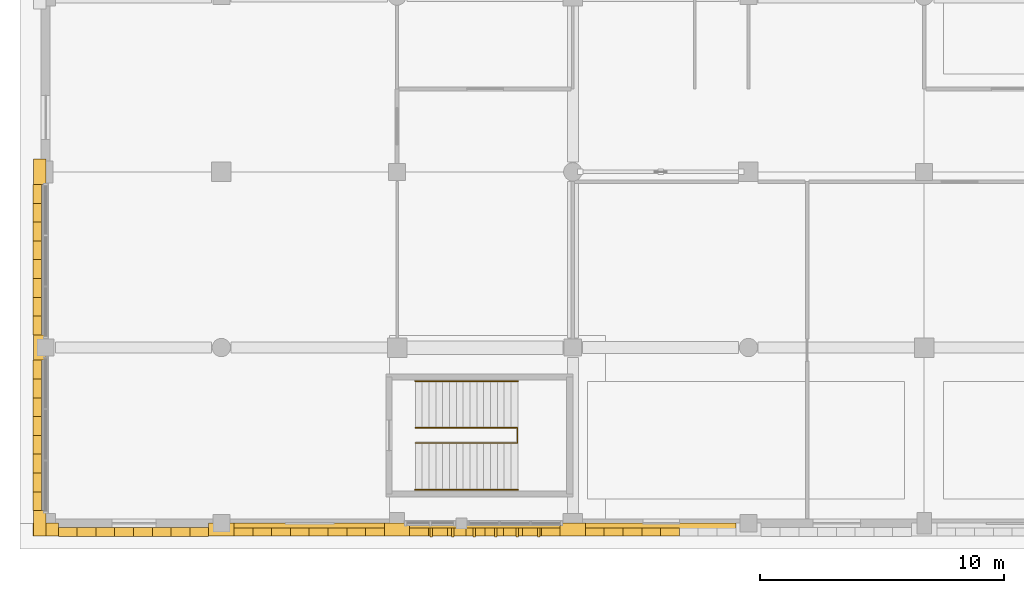
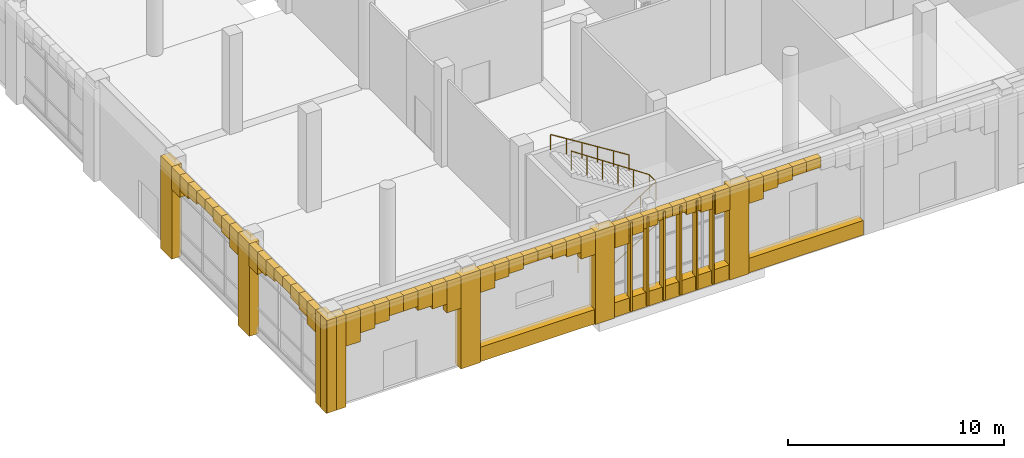
# One storey, part 68 of 85: 61 coverings, 3 railings.
"""IFC4 building model written with IfcOpenShell, lengths in metres."""

from ifc_helpers import new_model, si_unit, direction, frame, frame_2d, origin, origin_2d, place, context, subcontext, project, spatial, polyline, rectangle, circle, outline, extrude, material, layer, layer_set, type_object, element, save


model = new_model("IFC4")

# Units and contexts
model_context = context("Model", 3, precision=1e-05, world=origin(), true_north=direction((0.0, 1.0)))
body_context = subcontext(model_context, "Body", "Model", "MODEL_VIEW")
ifc_project = project(units=[si_unit("LENGTHUNIT", "METRE"), si_unit("AREAUNIT", "SQUARE_METRE"), si_unit("VOLUMEUNIT", "CUBIC_METRE"), si_unit("PLANEANGLEUNIT", "RADIAN"), si_unit("MASSUNIT", "GRAM", prefix="KILO")], contexts=[model_context])

# Site, building, storey
site_placement = place(None, origin())
site = spatial("IfcSite", under=ifc_project, at=site_placement, CompositionType="ELEMENT")
building_placement = place(site_placement, origin())
building = spatial("IfcBuilding", under=site, at=building_placement, Name="Sardonyx Promenade Sports Hall", CompositionType="ELEMENT")
storey_placement = place(building_placement, origin())
storey = spatial("IfcBuildingStorey", under=building, at=storey_placement, Name="L00", CompositionType="ELEMENT", Elevation=0.0)

# Coverings
ifc_material_1 = material(Name="Dressed Cape red sandstone ashlar", Category="masonry")
ifc_layer_1 = layer(ifc_material_1, 0.06005859375)
ifc_layer_set_1 = layer_set([ifc_layer_1], Name="Cov_Cladding_Sandstone")
covering_type_1 = type_object("IfcCoveringType", Name="Cov_Cladding_Sandstone", PredefinedType="CLADDING", material=ifc_layer_set_1)
covering_1_placement = place(storey_placement, origin())
element("IfcCovering", 1, at=covering_1_placement, inside=storey, type_object=covering_type_1, Name="South sandstone bay pier casing L00 #0", PredefinedType="CLADDING", context=body_context, shape_type="SweptSolid", body=[
    extrude(outline(polyline([(-0.52001953125, -0.52001953125), (0.52001953125, -0.52001953125), (0.52001953125, 0.02001953125), (-0.52001953125, 0.02001953125), (-0.52001953125, -0.52001953125)])), origin(), (0.0, 0.0, 1.0), 5.25),
])
covering_2_placement = place(storey_placement, origin())
element("IfcCovering", 2, at=covering_2_placement, inside=storey, type_object=covering_type_1, Name="South sandstone bay pier casing L00 #1", PredefinedType="CLADDING", context=body_context, shape_type="SweptSolid", body=[
    extrude(outline(polyline([(6.679931640625, -0.52001953125), (7.719970703125, -0.52001953125), (7.719970703125, 0.02001953125), (6.679931640625, 0.02001953125), (6.679931640625, -0.52001953125)])), origin(), (0.0, 0.0, 1.0), 5.25),
])
covering_3_placement = place(storey_placement, origin())
element("IfcCovering", 3, at=covering_3_placement, inside=storey, type_object=covering_type_1, Name="South sandstone bay pier casing L00 #2", PredefinedType="CLADDING", context=body_context, shape_type="SweptSolid", body=[
    extrude(outline(polyline([(13.8798828125, -0.52001953125), (14.919921875, -0.52001953125), (14.919921875, 0.02001953125), (13.8798828125, 0.02001953125), (13.8798828125, -0.52001953125)])), origin(), (0.0, 0.0, 1.0), 5.25),
])
covering_4_placement = place(storey_placement, origin())
element("IfcCovering", 4, at=covering_4_placement, inside=storey, type_object=covering_type_1, Name="South sandstone bay pier casing L00 #3", PredefinedType="CLADDING", context=body_context, shape_type="SweptSolid", body=[
    extrude(outline(polyline([(21.080078125, -0.52001953125), (22.1201171875, -0.52001953125), (22.1201171875, 0.02001953125), (21.080078125, 0.02001953125), (21.080078125, -0.52001953125)])), origin(), (0.0, 0.0, 1.0), 5.25),
])
covering_5_placement = place(storey_placement, origin())
element("IfcCovering", 5, at=covering_5_placement, inside=storey, type_object=covering_type_1, Name="South sandstone sill spandrel L00 #19", PredefinedType="CLADDING", context=body_context, shape_type="SweptSolid", body=[
    extrude(outline(polyline([(22.1201171875, -0.4599609375), (28.280029296875, -0.4599609375), (28.280029296875, 0.02001953125), (22.1201171875, 0.02001953125), (22.1201171875, -0.4599609375)])), origin(), (0.0, 0.0, 1.0), 0.820068359375),
])
covering_6_placement = place(storey_placement, origin())
element("IfcCovering", 6, at=covering_6_placement, inside=storey, type_object=covering_type_1, Name="South sandstone sill spandrel L00 #20", PredefinedType="CLADDING", context=body_context, shape_type="SweptSolid", body=[
    extrude(outline(polyline([(14.919921875, -0.4599609375), (21.080078125, -0.4599609375), (21.080078125, 0.02001953125), (14.919921875, 0.02001953125), (14.919921875, -0.4599609375)])), origin(), (0.0, 0.0, 1.0), 0.820068359375),
])
covering_7_placement = place(storey_placement, origin())
element("IfcCovering", 7, at=covering_7_placement, inside=storey, type_object=covering_type_1, Name="South sandstone sill spandrel L00 #21", PredefinedType="CLADDING", context=body_context, shape_type="SweptSolid", body=[
    extrude(outline(polyline([(7.719970703125, -0.4599609375), (13.8798828125, -0.4599609375), (13.8798828125, 0.02001953125), (7.719970703125, 0.02001953125), (7.719970703125, -0.4599609375)])), origin(), (0.0, 0.0, 1.0), 0.820068359375),
])
covering_8_placement = place(storey_placement, origin())
element("IfcCovering", 8, at=covering_8_placement, inside=storey, type_object=covering_type_1, Name="West sandstone pier casing L00 #0", PredefinedType="CLADDING", context=body_context, shape_type="SweptSolid", body=[
    extrude(outline(polyline([(-0.5, -0.52001953125), (0.02001953125, -0.52001953125), (0.02001953125, 0.52001953125), (-0.5, 0.52001953125), (-0.5, -0.52001953125)])), origin(), (0.0, 0.0, 1.0), 5.25),
])
covering_9_placement = place(storey_placement, origin())
element("IfcCovering", 9, at=covering_9_placement, inside=storey, type_object=covering_type_1, Name="West sandstone pier casing L00 #1", PredefinedType="CLADDING", context=body_context, shape_type="SweptSolid", body=[
    extrude(outline(polyline([(-0.5, 6.679931640625), (0.02001953125, 6.679931640625), (0.02001953125, 7.719970703125), (-0.5, 7.719970703125), (-0.5, 6.679931640625)])), origin(), (0.0, 0.0, 1.0), 5.25),
])
covering_10_placement = place(storey_placement, origin())
element("IfcCovering", 10, at=covering_10_placement, inside=storey, type_object=covering_type_1, Name="West sandstone pier casing L00 #2", PredefinedType="CLADDING", context=body_context, shape_type="SweptSolid", body=[
    extrude(outline(polyline([(-0.5, 13.8798828125), (0.02001953125, 13.8798828125), (0.02001953125, 14.919921875), (-0.5, 14.919921875), (-0.5, 13.8798828125)])), origin(), (0.0, 0.0, 1.0), 5.25),
])
ifc_material_2 = material(Name="Glulam GL28h", Category="wood")
ifc_layer_2 = layer(ifc_material_2, 0.110107421875)
ifc_layer_set_2 = layer_set([ifc_layer_2], Name="Cov_Louvre_GL28h")
covering_type_2 = type_object("IfcCoveringType", Name="Cov_Louvre_GL28h", PredefinedType="MOLDING", material=ifc_layer_set_2)
for number, where, z_axis, x_axis, name in (
    (11, (15.800048828125, -0.3798828125, 0.10009765625), (0.0, 0.0, 1.0), (1.0, 0.0, 0.0), "Mughal jali screen mullion L00 #20-1"),
    (12, (16.679931640625, -0.3798828125, 0.10009765625), (0.0, 0.0, 1.0), (1.0, 0.0, 0.0), "Mughal jali screen mullion L00 #20-2"),
    (13, (17.56005859375, -0.3798828125, 0.10009765625), (0.0, 0.0, 1.0), (1.0, 0.0, 0.0), "Mughal jali screen mullion L00 #20-3"),
    (14, (18.43994140625, -0.3798828125, 0.10009765625), (0.0, 0.0, 1.0), (1.0, 0.0, 0.0), "Mughal jali screen mullion L00 #20-4"),
    (15, (19.320068359375, -0.3798828125, 0.10009765625), (0.0, 0.0, 1.0), (1.0, 0.0, 0.0), "Mughal jali screen mullion L00 #20-5"),
    (16, (20.199951171875, -0.3798828125, 0.10009765625), (0.0, 0.0, 1.0), (1.0, 0.0, 0.0), "Mughal jali screen mullion L00 #20-6"),
):
    element("IfcCovering", number, at=place(storey_placement, frame(where, z_axis=z_axis, x_axis=x_axis)), inside=storey, type_object=covering_type_2, Name=name, PredefinedType="MOLDING", context=body_context, shape_type="SweptSolid", body=[
        extrude(rectangle(XDim=0.10009765625, YDim=0.360107421875, at=origin_2d()), origin(), (0.0, 0.0, 1.0), 5.050048828125),
    ])
ifc_material_3 = material(Name="Carved Cape red sandstone ashlar", Category="masonry")
ifc_layer_3 = layer(ifc_material_3, 0.239990234375)
ifc_layer_set_3 = layer_set([ifc_layer_3], Name="Cov_Mughal_Arch")
covering_type_3 = type_object("IfcCoveringType", Name="Cov_Mughal_Arch", PredefinedType="CLADDING", material=ifc_layer_set_3)
covering_11_placement = place(storey_placement, frame((22.1201171875, -0.360107421875, 3.977783203125), z_axis=(0.0, 0.0, 1.0), x_axis=(1.0, 0.0, 0.0)))
element("IfcCovering", 17, at=covering_11_placement, inside=storey, type_object=covering_type_3, Name="Mughal pointed-arch spandrel L00 cov:sl00arch:19 #1", PredefinedType="CLADDING", context=body_context, shape_type="SweptSolid", body=[
    extrude(rectangle(XDim=0.769775390625, YDim=0.340087890625, at=frame_2d((0.384765625, 0.0))), origin(), (0.0, 0.0, 1.0), 1.272216796875),
])
covering_12_placement = place(storey_placement, frame((22.889892578125, -0.360107421875, 4.3671875), z_axis=(0.0, 0.0, 1.0), x_axis=(1.0, 0.0, 0.0)))
element("IfcCovering", 18, at=covering_12_placement, inside=storey, type_object=covering_type_3, Name="Mughal pointed-arch spandrel L00 cov:sl00arch:19 #2", PredefinedType="CLADDING", context=body_context, shape_type="SweptSolid", body=[
    extrude(rectangle(XDim=0.77001953125, YDim=0.340087890625, at=frame_2d((0.385009765625, 0.0))), origin(), (0.0, 0.0, 1.0), 0.8828125),
])
covering_13_placement = place(storey_placement, frame((23.659912109375, -0.360107421875, 4.51220703125), z_axis=(0.0, 0.0, 1.0), x_axis=(1.0, 0.0, 0.0)))
element("IfcCovering", 19, at=covering_13_placement, inside=storey, type_object=covering_type_3, Name="Mughal pointed-arch spandrel L00 cov:sl00arch:19 #3", PredefinedType="CLADDING", context=body_context, shape_type="SweptSolid", body=[
    extrude(rectangle(XDim=0.77001953125, YDim=0.340087890625, at=frame_2d((0.385009765625, 0.0))), origin(), (0.0, 0.0, 1.0), 0.73779296875),
])
for number, where, z_axis, x_axis, name in (
    (20, (24.429931640625, -0.360107421875, 4.69775390625), (0.0, 0.0, 1.0), (1.0, 0.0, 0.0), "Mughal pointed-arch spandrel L00 cov:sl00arch:19 #4"),
    (21, (25.199951171875, -0.360107421875, 4.69775390625), (0.0, 0.0, 1.0), (1.0, 0.0, 0.0), "Mughal pointed-arch spandrel L00 cov:sl00arch:19 #5"),
):
    element("IfcCovering", number, at=place(storey_placement, frame(where, z_axis=z_axis, x_axis=x_axis)), inside=storey, type_object=covering_type_3, Name=name, PredefinedType="CLADDING", context=body_context, shape_type="SweptSolid", body=[
        extrude(rectangle(XDim=0.77001953125, YDim=0.340087890625, at=frame_2d((0.385009765625, 0.0))), origin(), (0.0, 0.0, 1.0), 0.55224609375),
    ])
covering_14_placement = place(storey_placement, frame((14.919921875, -0.360107421875, 3.977783203125), z_axis=(0.0, 0.0, 1.0), x_axis=(1.0, 0.0, 0.0)))
element("IfcCovering", 22, at=covering_14_placement, inside=storey, type_object=covering_type_3, Name="Mughal pointed-arch spandrel L00 cov:sl00arch:20 #1", PredefinedType="CLADDING", context=body_context, shape_type="SweptSolid", body=[
    extrude(rectangle(XDim=0.77001953125, YDim=0.340087890625, at=frame_2d((0.385009765625, 0.0))), origin(), (0.0, 0.0, 1.0), 1.272216796875),
])
covering_15_placement = place(storey_placement, frame((15.68994140625, -0.360107421875, 4.3671875), z_axis=(0.0, 0.0, 1.0), x_axis=(1.0, 0.0, 0.0)))
element("IfcCovering", 23, at=covering_15_placement, inside=storey, type_object=covering_type_3, Name="Mughal pointed-arch spandrel L00 cov:sl00arch:20 #2", PredefinedType="CLADDING", context=body_context, shape_type="SweptSolid", body=[
    extrude(rectangle(XDim=0.77001953125, YDim=0.340087890625, at=frame_2d((0.385009765625, 0.0))), origin(), (0.0, 0.0, 1.0), 0.8828125),
])
covering_16_placement = place(storey_placement, frame((16.4599609375, -0.360107421875, 4.51220703125), z_axis=(0.0, 0.0, 1.0), x_axis=(1.0, 0.0, 0.0)))
element("IfcCovering", 24, at=covering_16_placement, inside=storey, type_object=covering_type_3, Name="Mughal pointed-arch spandrel L00 cov:sl00arch:20 #3", PredefinedType="CLADDING", context=body_context, shape_type="SweptSolid", body=[
    extrude(rectangle(XDim=0.77001953125, YDim=0.340087890625, at=frame_2d((0.385009765625, 0.0))), origin(), (0.0, 0.0, 1.0), 0.73779296875),
])
for number, where, z_axis, x_axis, name in (
    (25, (17.22998046875, -0.360107421875, 4.69775390625), (0.0, 0.0, 1.0), (1.0, 0.0, 0.0), "Mughal pointed-arch spandrel L00 cov:sl00arch:20 #4"),
    (26, (18.0, -0.360107421875, 4.69775390625), (0.0, 0.0, 1.0), (1.0, 0.0, 0.0), "Mughal pointed-arch spandrel L00 cov:sl00arch:20 #5"),
):
    element("IfcCovering", number, at=place(storey_placement, frame(where, z_axis=z_axis, x_axis=x_axis)), inside=storey, type_object=covering_type_3, Name=name, PredefinedType="CLADDING", context=body_context, shape_type="SweptSolid", body=[
        extrude(rectangle(XDim=0.77001953125, YDim=0.340087890625, at=frame_2d((0.385009765625, 0.0))), origin(), (0.0, 0.0, 1.0), 0.55224609375),
    ])
covering_17_placement = place(storey_placement, frame((18.77001953125, -0.360107421875, 4.51220703125), z_axis=(0.0, 0.0, 1.0), x_axis=(1.0, 0.0, 0.0)))
element("IfcCovering", 27, at=covering_17_placement, inside=storey, type_object=covering_type_3, Name="Mughal pointed-arch spandrel L00 cov:sl00arch:20 #6", PredefinedType="CLADDING", context=body_context, shape_type="SweptSolid", body=[
    extrude(rectangle(XDim=0.77001953125, YDim=0.340087890625, at=frame_2d((0.385009765625, 0.0))), origin(), (0.0, 0.0, 1.0), 0.73779296875),
])
covering_18_placement = place(storey_placement, frame((19.5400390625, -0.360107421875, 4.3671875), z_axis=(0.0, 0.0, 1.0), x_axis=(1.0, 0.0, 0.0)))
element("IfcCovering", 28, at=covering_18_placement, inside=storey, type_object=covering_type_3, Name="Mughal pointed-arch spandrel L00 cov:sl00arch:20 #7", PredefinedType="CLADDING", context=body_context, shape_type="SweptSolid", body=[
    extrude(rectangle(XDim=0.77001953125, YDim=0.340087890625, at=frame_2d((0.385009765625, 0.0))), origin(), (0.0, 0.0, 1.0), 0.8828125),
])
for number, where, z_axis, x_axis, name in (
    (29, (20.31005859375, -0.360107421875, 3.977783203125), (0.0, 0.0, 1.0), (1.0, 0.0, 0.0), "Mughal pointed-arch spandrel L00 cov:sl00arch:20 #8"),
    (30, (7.719970703125, -0.360107421875, 3.977783203125), (0.0, 0.0, 1.0), (1.0, 0.0, 0.0), "Mughal pointed-arch spandrel L00 cov:sl00arch:21 #1"),
):
    element("IfcCovering", number, at=place(storey_placement, frame(where, z_axis=z_axis, x_axis=x_axis)), inside=storey, type_object=covering_type_3, Name=name, PredefinedType="CLADDING", context=body_context, shape_type="SweptSolid", body=[
        extrude(rectangle(XDim=0.77001953125, YDim=0.340087890625, at=frame_2d((0.385009765625, 0.0))), origin(), (0.0, 0.0, 1.0), 1.272216796875),
    ])
covering_19_placement = place(storey_placement, frame((8.489990234375, -0.360107421875, 4.3671875), z_axis=(0.0, 0.0, 1.0), x_axis=(1.0, 0.0, 0.0)))
element("IfcCovering", 31, at=covering_19_placement, inside=storey, type_object=covering_type_3, Name="Mughal pointed-arch spandrel L00 cov:sl00arch:21 #2", PredefinedType="CLADDING", context=body_context, shape_type="SweptSolid", body=[
    extrude(rectangle(XDim=0.77001953125, YDim=0.340087890625, at=frame_2d((0.385009765625, 0.0))), origin(), (0.0, 0.0, 1.0), 0.8828125),
])
covering_20_placement = place(storey_placement, frame((9.260009765625, -0.360107421875, 4.51220703125), z_axis=(0.0, 0.0, 1.0), x_axis=(1.0, 0.0, 0.0)))
element("IfcCovering", 32, at=covering_20_placement, inside=storey, type_object=covering_type_3, Name="Mughal pointed-arch spandrel L00 cov:sl00arch:21 #3", PredefinedType="CLADDING", context=body_context, shape_type="SweptSolid", body=[
    extrude(rectangle(XDim=0.77001953125, YDim=0.340087890625, at=frame_2d((0.385009765625, 0.0))), origin(), (0.0, 0.0, 1.0), 0.73779296875),
])
for number, where, z_axis, x_axis, name in (
    (33, (10.030029296875, -0.360107421875, 4.69775390625), (0.0, 0.0, 1.0), (1.0, 0.0, 0.0), "Mughal pointed-arch spandrel L00 cov:sl00arch:21 #4"),
    (34, (10.800048828125, -0.360107421875, 4.69775390625), (0.0, 0.0, 1.0), (1.0, 0.0, 0.0), "Mughal pointed-arch spandrel L00 cov:sl00arch:21 #5"),
):
    element("IfcCovering", number, at=place(storey_placement, frame(where, z_axis=z_axis, x_axis=x_axis)), inside=storey, type_object=covering_type_3, Name=name, PredefinedType="CLADDING", context=body_context, shape_type="SweptSolid", body=[
        extrude(rectangle(XDim=0.77001953125, YDim=0.340087890625, at=frame_2d((0.385009765625, 0.0))), origin(), (0.0, 0.0, 1.0), 0.55224609375),
    ])
covering_21_placement = place(storey_placement, frame((11.570068359375, -0.360107421875, 4.51220703125), z_axis=(0.0, 0.0, 1.0), x_axis=(1.0, 0.0, 0.0)))
element("IfcCovering", 35, at=covering_21_placement, inside=storey, type_object=covering_type_3, Name="Mughal pointed-arch spandrel L00 cov:sl00arch:21 #6", PredefinedType="CLADDING", context=body_context, shape_type="SweptSolid", body=[
    extrude(rectangle(XDim=0.77001953125, YDim=0.340087890625, at=frame_2d((0.385009765625, 0.0))), origin(), (0.0, 0.0, 1.0), 0.73779296875),
])
covering_22_placement = place(storey_placement, frame((12.340087890625, -0.360107421875, 4.3671875), z_axis=(0.0, 0.0, 1.0), x_axis=(1.0, 0.0, 0.0)))
element("IfcCovering", 36, at=covering_22_placement, inside=storey, type_object=covering_type_3, Name="Mughal pointed-arch spandrel L00 cov:sl00arch:21 #7", PredefinedType="CLADDING", context=body_context, shape_type="SweptSolid", body=[
    extrude(rectangle(XDim=0.77001953125, YDim=0.340087890625, at=frame_2d((0.385009765625, 0.0))), origin(), (0.0, 0.0, 1.0), 0.8828125),
])
covering_23_placement = place(storey_placement, frame((13.110107421875, -0.360107421875, 3.977783203125), z_axis=(0.0, 0.0, 1.0), x_axis=(1.0, 0.0, 0.0)))
element("IfcCovering", 37, at=covering_23_placement, inside=storey, type_object=covering_type_3, Name="Mughal pointed-arch spandrel L00 cov:sl00arch:21 #8", PredefinedType="CLADDING", context=body_context, shape_type="SweptSolid", body=[
    extrude(rectangle(XDim=0.769775390625, YDim=0.340087890625, at=frame_2d((0.384765625, 0.0))), origin(), (0.0, 0.0, 1.0), 1.272216796875),
])
covering_24_placement = place(storey_placement, frame((0.52001953125, -0.360107421875, 3.463134765625), z_axis=(0.0, 0.0, 1.0), x_axis=(1.0, 0.0, 0.0)))
element("IfcCovering", 38, at=covering_24_placement, inside=storey, type_object=covering_type_3, Name="Mughal pointed-arch spandrel L00 cov:sdoorarch:22 #1", PredefinedType="CLADDING", context=body_context, shape_type="SweptSolid", body=[
    extrude(rectangle(XDim=0.77001953125, YDim=0.360107421875, at=frame_2d((0.385009765625, 0.0))), origin(), (0.0, 0.0, 1.0), 1.786865234375),
])
covering_25_placement = place(storey_placement, frame((1.2900390625, -0.360107421875, 3.9541015625), z_axis=(0.0, 0.0, 1.0), x_axis=(1.0, 0.0, 0.0)))
element("IfcCovering", 39, at=covering_25_placement, inside=storey, type_object=covering_type_3, Name="Mughal pointed-arch spandrel L00 cov:sdoorarch:22 #2", PredefinedType="CLADDING", context=body_context, shape_type="SweptSolid", body=[
    extrude(rectangle(XDim=0.77001953125, YDim=0.360107421875, at=frame_2d((0.385009765625, 0.0))), origin(), (0.0, 0.0, 1.0), 1.2958984375),
])
covering_26_placement = place(storey_placement, frame((2.06005859375, -0.360107421875, 4.13720703125), z_axis=(0.0, 0.0, 1.0), x_axis=(1.0, 0.0, 0.0)))
element("IfcCovering", 40, at=covering_26_placement, inside=storey, type_object=covering_type_3, Name="Mughal pointed-arch spandrel L00 cov:sdoorarch:22 #3", PredefinedType="CLADDING", context=body_context, shape_type="SweptSolid", body=[
    extrude(rectangle(XDim=0.77001953125, YDim=0.360107421875, at=frame_2d((0.385009765625, 0.0))), origin(), (0.0, 0.0, 1.0), 1.11279296875),
])
for number, where, z_axis, x_axis, name in (
    (41, (2.830078125, -0.360107421875, 4.37109375), (0.0, 0.0, 1.0), (1.0, 0.0, 0.0), "Mughal pointed-arch spandrel L00 cov:sdoorarch:22 #4"),
    (42, (3.60009765625, -0.360107421875, 4.37109375), (0.0, 0.0, 1.0), (1.0, 0.0, 0.0), "Mughal pointed-arch spandrel L00 cov:sdoorarch:22 #5"),
):
    element("IfcCovering", number, at=place(storey_placement, frame(where, z_axis=z_axis, x_axis=x_axis)), inside=storey, type_object=covering_type_3, Name=name, PredefinedType="CLADDING", context=body_context, shape_type="SweptSolid", body=[
        extrude(rectangle(XDim=0.77001953125, YDim=0.360107421875, at=frame_2d((0.385009765625, 0.0))), origin(), (0.0, 0.0, 1.0), 0.87890625),
    ])
covering_27_placement = place(storey_placement, frame((4.3701171875, -0.360107421875, 4.13720703125), z_axis=(0.0, 0.0, 1.0), x_axis=(1.0, 0.0, 0.0)))
element("IfcCovering", 43, at=covering_27_placement, inside=storey, type_object=covering_type_3, Name="Mughal pointed-arch spandrel L00 cov:sdoorarch:22 #6", PredefinedType="CLADDING", context=body_context, shape_type="SweptSolid", body=[
    extrude(rectangle(XDim=0.769775390625, YDim=0.360107421875, at=frame_2d((0.384765625, 0.0))), origin(), (0.0, 0.0, 1.0), 1.11279296875),
])
covering_28_placement = place(storey_placement, frame((5.139892578125, -0.360107421875, 3.9541015625), z_axis=(0.0, 0.0, 1.0), x_axis=(1.0, 0.0, 0.0)))
element("IfcCovering", 44, at=covering_28_placement, inside=storey, type_object=covering_type_3, Name="Mughal pointed-arch spandrel L00 cov:sdoorarch:22 #7", PredefinedType="CLADDING", context=body_context, shape_type="SweptSolid", body=[
    extrude(rectangle(XDim=0.77001953125, YDim=0.360107421875, at=frame_2d((0.385009765625, 0.0))), origin(), (0.0, 0.0, 1.0), 1.2958984375),
])
covering_29_placement = place(storey_placement, frame((5.909912109375, -0.360107421875, 3.463134765625), z_axis=(0.0, 0.0, 1.0), x_axis=(1.0, 0.0, 0.0)))
element("IfcCovering", 45, at=covering_29_placement, inside=storey, type_object=covering_type_3, Name="Mughal pointed-arch spandrel L00 cov:sdoorarch:22 #8", PredefinedType="CLADDING", context=body_context, shape_type="SweptSolid", body=[
    extrude(rectangle(XDim=0.77001953125, YDim=0.360107421875, at=frame_2d((0.385009765625, 0.0))), origin(), (0.0, 0.0, 1.0), 1.786865234375),
])
covering_30_placement = place(storey_placement, frame((-0.340087890625, 0.52001953125, 3.977783203125), z_axis=(0.0, 0.0, 1.0), x_axis=(0.0, 1.0, 0.0)))
element("IfcCovering", 46, at=covering_30_placement, inside=storey, type_object=covering_type_3, Name="Mughal pointed-arch spandrel L00 cov:wl00arch:00 #1", PredefinedType="CLADDING", context=body_context, shape_type="SweptSolid", body=[
    extrude(rectangle(XDim=0.77001953125, YDim=0.340087890625, at=frame_2d((0.385009765625, 0.0))), origin(), (0.0, 0.0, 1.0), 1.272216796875),
])
covering_31_placement = place(storey_placement, frame((-0.340087890625, 1.2900390625, 4.3671875), z_axis=(0.0, 0.0, 1.0), x_axis=(0.0, 1.0, 0.0)))
element("IfcCovering", 47, at=covering_31_placement, inside=storey, type_object=covering_type_3, Name="Mughal pointed-arch spandrel L00 cov:wl00arch:00 #2", PredefinedType="CLADDING", context=body_context, shape_type="SweptSolid", body=[
    extrude(rectangle(XDim=0.77001953125, YDim=0.340087890625, at=frame_2d((0.385009765625, 0.0))), origin(), (0.0, 0.0, 1.0), 0.8828125),
])
covering_32_placement = place(storey_placement, frame((-0.340087890625, 2.06005859375, 4.51220703125), z_axis=(0.0, 0.0, 1.0), x_axis=(0.0, 1.0, 0.0)))
element("IfcCovering", 48, at=covering_32_placement, inside=storey, type_object=covering_type_3, Name="Mughal pointed-arch spandrel L00 cov:wl00arch:00 #3", PredefinedType="CLADDING", context=body_context, shape_type="SweptSolid", body=[
    extrude(rectangle(XDim=0.77001953125, YDim=0.340087890625, at=frame_2d((0.385009765625, 0.0))), origin(), (0.0, 0.0, 1.0), 0.73779296875),
])
for number, where, z_axis, x_axis, name in (
    (49, (-0.340087890625, 2.830078125, 4.69775390625), (0.0, 0.0, 1.0), (0.0, 1.0, 0.0), "Mughal pointed-arch spandrel L00 cov:wl00arch:00 #4"),
    (50, (-0.340087890625, 3.60009765625, 4.69775390625), (0.0, 0.0, 1.0), (0.0, 1.0, 0.0), "Mughal pointed-arch spandrel L00 cov:wl00arch:00 #5"),
):
    element("IfcCovering", number, at=place(storey_placement, frame(where, z_axis=z_axis, x_axis=x_axis)), inside=storey, type_object=covering_type_3, Name=name, PredefinedType="CLADDING", context=body_context, shape_type="SweptSolid", body=[
        extrude(rectangle(XDim=0.77001953125, YDim=0.340087890625, at=frame_2d((0.385009765625, 0.0))), origin(), (0.0, 0.0, 1.0), 0.55224609375),
    ])
covering_33_placement = place(storey_placement, frame((-0.340087890625, 4.3701171875, 4.51220703125), z_axis=(0.0, 0.0, 1.0), x_axis=(0.0, 1.0, 0.0)))
element("IfcCovering", 51, at=covering_33_placement, inside=storey, type_object=covering_type_3, Name="Mughal pointed-arch spandrel L00 cov:wl00arch:00 #6", PredefinedType="CLADDING", context=body_context, shape_type="SweptSolid", body=[
    extrude(rectangle(XDim=0.769775390625, YDim=0.340087890625, at=frame_2d((0.384765625, 0.0))), origin(), (0.0, 0.0, 1.0), 0.73779296875),
])
covering_34_placement = place(storey_placement, frame((-0.340087890625, 5.139892578125, 4.3671875), z_axis=(0.0, 0.0, 1.0), x_axis=(0.0, 1.0, 0.0)))
element("IfcCovering", 52, at=covering_34_placement, inside=storey, type_object=covering_type_3, Name="Mughal pointed-arch spandrel L00 cov:wl00arch:00 #7", PredefinedType="CLADDING", context=body_context, shape_type="SweptSolid", body=[
    extrude(rectangle(XDim=0.77001953125, YDim=0.340087890625, at=frame_2d((0.385009765625, 0.0))), origin(), (0.0, 0.0, 1.0), 0.8828125),
])
for number, where, z_axis, x_axis, name in (
    (53, (-0.340087890625, 5.909912109375, 3.977783203125), (0.0, 0.0, 1.0), (0.0, 1.0, 0.0), "Mughal pointed-arch spandrel L00 cov:wl00arch:00 #8"),
    (54, (-0.340087890625, 7.719970703125, 3.977783203125), (0.0, 0.0, 1.0), (0.0, 1.0, 0.0), "Mughal pointed-arch spandrel L00 cov:wl00arch:01 #1"),
):
    element("IfcCovering", number, at=place(storey_placement, frame(where, z_axis=z_axis, x_axis=x_axis)), inside=storey, type_object=covering_type_3, Name=name, PredefinedType="CLADDING", context=body_context, shape_type="SweptSolid", body=[
        extrude(rectangle(XDim=0.77001953125, YDim=0.340087890625, at=frame_2d((0.385009765625, 0.0))), origin(), (0.0, 0.0, 1.0), 1.272216796875),
    ])
covering_35_placement = place(storey_placement, frame((-0.340087890625, 8.489990234375, 4.3671875), z_axis=(0.0, 0.0, 1.0), x_axis=(0.0, 1.0, 0.0)))
element("IfcCovering", 55, at=covering_35_placement, inside=storey, type_object=covering_type_3, Name="Mughal pointed-arch spandrel L00 cov:wl00arch:01 #2", PredefinedType="CLADDING", context=body_context, shape_type="SweptSolid", body=[
    extrude(rectangle(XDim=0.77001953125, YDim=0.340087890625, at=frame_2d((0.385009765625, 0.0))), origin(), (0.0, 0.0, 1.0), 0.8828125),
])
covering_36_placement = place(storey_placement, frame((-0.340087890625, 9.260009765625, 4.51220703125), z_axis=(0.0, 0.0, 1.0), x_axis=(0.0, 1.0, 0.0)))
element("IfcCovering", 56, at=covering_36_placement, inside=storey, type_object=covering_type_3, Name="Mughal pointed-arch spandrel L00 cov:wl00arch:01 #3", PredefinedType="CLADDING", context=body_context, shape_type="SweptSolid", body=[
    extrude(rectangle(XDim=0.77001953125, YDim=0.340087890625, at=frame_2d((0.385009765625, 0.0))), origin(), (0.0, 0.0, 1.0), 0.73779296875),
])
for number, where, z_axis, x_axis, name in (
    (57, (-0.340087890625, 10.030029296875, 4.69775390625), (0.0, 0.0, 1.0), (0.0, 1.0, 0.0), "Mughal pointed-arch spandrel L00 cov:wl00arch:01 #4"),
    (58, (-0.340087890625, 10.800048828125, 4.69775390625), (0.0, 0.0, 1.0), (0.0, 1.0, 0.0), "Mughal pointed-arch spandrel L00 cov:wl00arch:01 #5"),
):
    element("IfcCovering", number, at=place(storey_placement, frame(where, z_axis=z_axis, x_axis=x_axis)), inside=storey, type_object=covering_type_3, Name=name, PredefinedType="CLADDING", context=body_context, shape_type="SweptSolid", body=[
        extrude(rectangle(XDim=0.77001953125, YDim=0.340087890625, at=frame_2d((0.385009765625, 0.0))), origin(), (0.0, 0.0, 1.0), 0.55224609375),
    ])
covering_37_placement = place(storey_placement, frame((-0.340087890625, 11.570068359375, 4.51220703125), z_axis=(0.0, 0.0, 1.0), x_axis=(0.0, 1.0, 0.0)))
element("IfcCovering", 59, at=covering_37_placement, inside=storey, type_object=covering_type_3, Name="Mughal pointed-arch spandrel L00 cov:wl00arch:01 #6", PredefinedType="CLADDING", context=body_context, shape_type="SweptSolid", body=[
    extrude(rectangle(XDim=0.77001953125, YDim=0.340087890625, at=frame_2d((0.385009765625, 0.0))), origin(), (0.0, 0.0, 1.0), 0.73779296875),
])
covering_38_placement = place(storey_placement, frame((-0.340087890625, 12.340087890625, 4.3671875), z_axis=(0.0, 0.0, 1.0), x_axis=(0.0, 1.0, 0.0)))
element("IfcCovering", 60, at=covering_38_placement, inside=storey, type_object=covering_type_3, Name="Mughal pointed-arch spandrel L00 cov:wl00arch:01 #7", PredefinedType="CLADDING", context=body_context, shape_type="SweptSolid", body=[
    extrude(rectangle(XDim=0.77001953125, YDim=0.340087890625, at=frame_2d((0.385009765625, 0.0))), origin(), (0.0, 0.0, 1.0), 0.8828125),
])
covering_39_placement = place(storey_placement, frame((-0.340087890625, 13.110107421875, 3.977783203125), z_axis=(0.0, 0.0, 1.0), x_axis=(0.0, 1.0, 0.0)))
element("IfcCovering", 61, at=covering_39_placement, inside=storey, type_object=covering_type_3, Name="Mughal pointed-arch spandrel L00 cov:wl00arch:01 #8", PredefinedType="CLADDING", context=body_context, shape_type="SweptSolid", body=[
    extrude(rectangle(XDim=0.769775390625, YDim=0.340087890625, at=frame_2d((0.384765625, 0.0))), origin(), (0.0, 0.0, 1.0), 1.272216796875),
])

# Railings
ifc_material_4 = material(Name="Powder-coated Steel S355JR", Category="steel")
railing_type_1 = type_object("IfcRailingType", Name="Rail_Int_Guard_1100", PredefinedType="GUARDRAIL", material=ifc_material_4)
railing_1_placement = place(storey_placement, frame((15.14990234375, 3.284912109375, 0.175048828125)))
element("IfcRailing", 62, at=railing_1_placement, inside=storey, type_object=railing_type_1, Name="Stair inner well guard ST5 L00", PredefinedType="GUARDRAIL", context=body_context, shape_type="SweptSolid", body=[
    extrude(circle(Radius=0.02392578125, at=origin_2d()), frame((0.0, 0.0, 1.09619140625), z_axis=(0.846868231521, 0.0, 0.531802781528), x_axis=(0.0, 1.0, 0.0)), (0.0, 0.0, 1.0), 4.93603515625),
    extrude(circle(Radius=0.02392578125, at=origin_2d()), frame((4.18017578125, 0.0, 3.72119140625), z_axis=(0.0, 1.0, 0.0), x_axis=(-1.0, 0.0, 0.0)), (0.0, 0.0, 1.0), 0.630126953125),
    extrude(circle(Radius=0.02392578125, at=origin_2d()), frame((4.18017578125, 0.630126953125, 3.72119140625), z_axis=(-0.830831454536, 0.0, 0.556524118214), x_axis=(0.0, -1.0, 0.0)), (0.0, 0.0, 1.0), 5.03125),
    extrude(circle(Radius=0.02099609375, at=origin_2d()), origin(), (0.0, 0.0, 1.0), 1.072021484375),
    extrude(circle(Radius=0.02099609375, at=origin_2d()), frame((0.8359375, 0.0, 0.52490234375)), (0.0, 0.0, 1.0), 1.072021484375),
    extrude(circle(Radius=0.02099609375, at=origin_2d()), frame((1.672119140625, 0.0, 1.050048828125)), (0.0, 0.0, 1.0), 1.072021484375),
    extrude(circle(Radius=0.02099609375, at=origin_2d()), frame((2.508056640625, 0.0, 1.574951171875)), (0.0, 0.0, 1.0), 1.072021484375),
    extrude(circle(Radius=0.02099609375, at=origin_2d()), frame((3.34423828125, 0.0, 2.10009765625)), (0.0, 0.0, 1.0), 1.072021484375),
    extrude(circle(Radius=0.02099609375, at=origin_2d()), frame((4.18017578125, 0.0, 2.625)), (0.0, 0.0, 1.0), 1.072021484375),
    extrude(circle(Radius=0.02099609375, at=origin_2d()), frame((4.18017578125, 0.630126953125, 2.625)), (0.0, 0.0, 1.0), 1.072021484375),
    extrude(circle(Radius=0.02099609375, at=origin_2d()), frame((3.34423828125, 0.630126953125, 3.18505859375)), (0.0, 0.0, 1.0), 1.072021484375),
    extrude(circle(Radius=0.02099609375, at=origin_2d()), frame((2.508056640625, 0.630126953125, 3.7451171875)), (0.0, 0.0, 1.0), 1.072021484375),
    extrude(circle(Radius=0.02099609375, at=origin_2d()), frame((1.672119140625, 0.630126953125, 4.304931640625)), (0.0, 0.0, 1.0), 1.072021484375),
    extrude(circle(Radius=0.02099609375, at=origin_2d()), frame((0.8359375, 0.630126953125, 4.864990234375)), (0.0, 0.0, 1.0), 1.072021484375),
    extrude(circle(Radius=0.02099609375, at=origin_2d()), frame((0.0, 0.630126953125, 5.425048828125)), (0.0, 0.0, 1.0), 1.072021484375),
])
ifc_material_5 = material(Name="Brushed stainless steel Grade 304", Category="steel")
railing_type_2 = type_object("IfcRailingType", Name="Rail_Int_Handrail_900", PredefinedType="HANDRAIL", material=ifc_material_5)
railing_2_placement = place(storey_placement, frame((15.14990234375, 1.375, 0.175048828125)))
element("IfcRailing", 63, at=railing_2_placement, inside=storey, type_object=railing_type_2, Name="Stair handrail ST5 L00 F1", PredefinedType="HANDRAIL", context=body_context, shape_type="SweptSolid", body=[
    extrude(circle(Radius=0.02392578125, at=origin_2d()), frame((0.0, 0.0, 0.8759765625), z_axis=(0.848009380541, 0.0, 0.529981217134), x_axis=(0.0, 1.0, 0.0)), (0.0, 0.0, 1.0), 4.953125),
    extrude(circle(Radius=0.02099609375, at=origin_2d()), origin(), (0.0, 0.0, 1.0), 0.851806640625),
    extrude(circle(Radius=0.02099609375, at=origin_2d()), frame((0.840087890625, 0.0, 0.52490234375)), (0.0, 0.0, 1.0), 0.851806640625),
    extrude(circle(Radius=0.02099609375, at=origin_2d()), frame((1.68017578125, 0.0, 1.050048828125)), (0.0, 0.0, 1.0), 0.851806640625),
    extrude(circle(Radius=0.02099609375, at=origin_2d()), frame((2.52001953125, 0.0, 1.574951171875)), (0.0, 0.0, 1.0), 0.851806640625),
    extrude(circle(Radius=0.02099609375, at=origin_2d()), frame((3.360107421875, 0.0, 2.10009765625)), (0.0, 0.0, 1.0), 0.851806640625),
    extrude(circle(Radius=0.02099609375, at=origin_2d()), frame((4.2001953125, 0.0, 2.625)), (0.0, 0.0, 1.0), 0.851806640625),
])
railing_3_placement = place(storey_placement, frame((19.35009765625, 5.824951171875, 2.97509765625)))
element("IfcRailing", 64, at=railing_3_placement, inside=storey, type_object=railing_type_2, Name="Stair handrail ST5 L00 F2", PredefinedType="HANDRAIL", context=body_context, shape_type="SweptSolid", body=[
    extrude(circle(Radius=0.02392578125, at=origin_2d()), frame((0.0, 0.0, 0.8759765625), z_axis=(-0.848009380541, 0.0, 0.529981217134), x_axis=(0.0, -1.0, 0.0)), (0.0, 0.0, 1.0), 4.953125),
    extrude(circle(Radius=0.02099609375, at=origin_2d()), origin(), (0.0, 0.0, 1.0), 0.851806640625),
    extrude(circle(Radius=0.02099609375, at=origin_2d()), frame((-0.840087890625, 0.0, 0.52490234375)), (0.0, 0.0, 1.0), 0.851806640625),
    extrude(circle(Radius=0.02099609375, at=origin_2d()), frame((-1.68017578125, 0.0, 1.050048828125)), (0.0, 0.0, 1.0), 0.851806640625),
    extrude(circle(Radius=0.02099609375, at=origin_2d()), frame((-2.52001953125, 0.0, 1.574951171875)), (0.0, 0.0, 1.0), 0.851806640625),
    extrude(circle(Radius=0.02099609375, at=origin_2d()), frame((-3.360107421875, 0.0, 2.10009765625)), (0.0, 0.0, 1.0), 0.851806640625),
    extrude(circle(Radius=0.02099609375, at=origin_2d()), frame((-4.2001953125, 0.0, 2.625)), (0.0, 0.0, 1.0), 0.851806640625),
])

save(model, "model.ifc")
